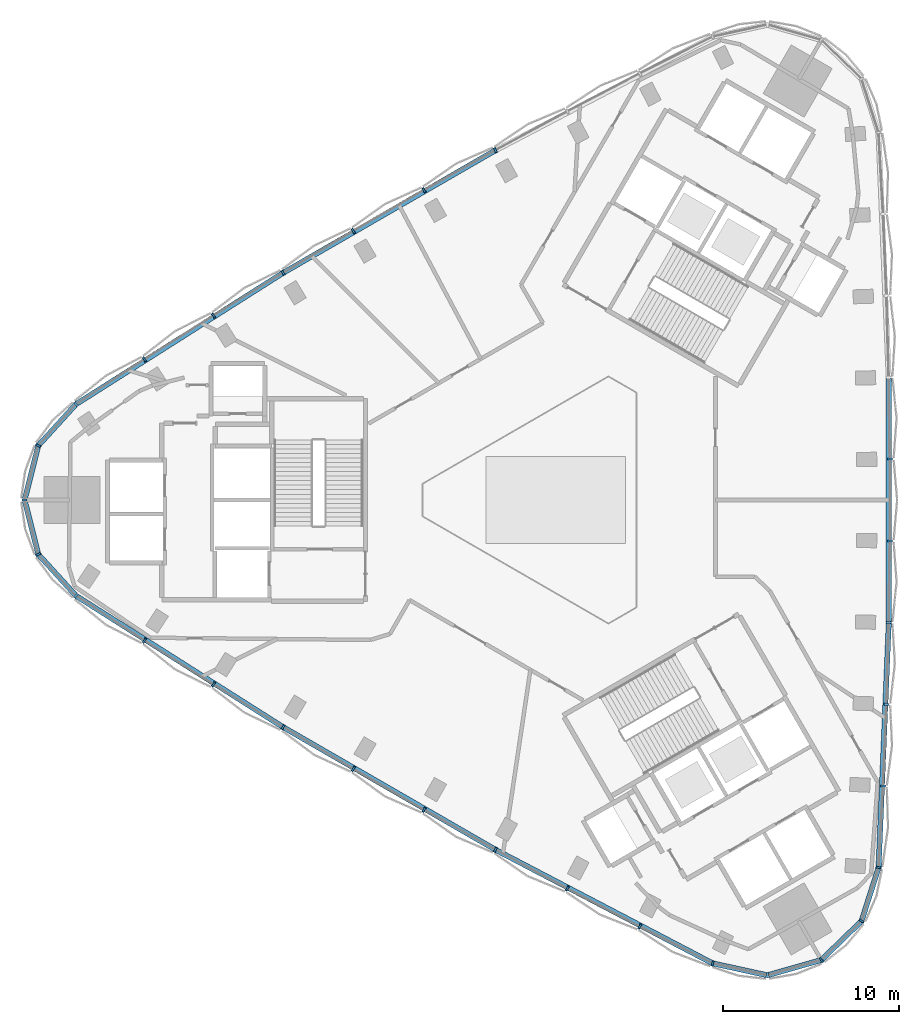
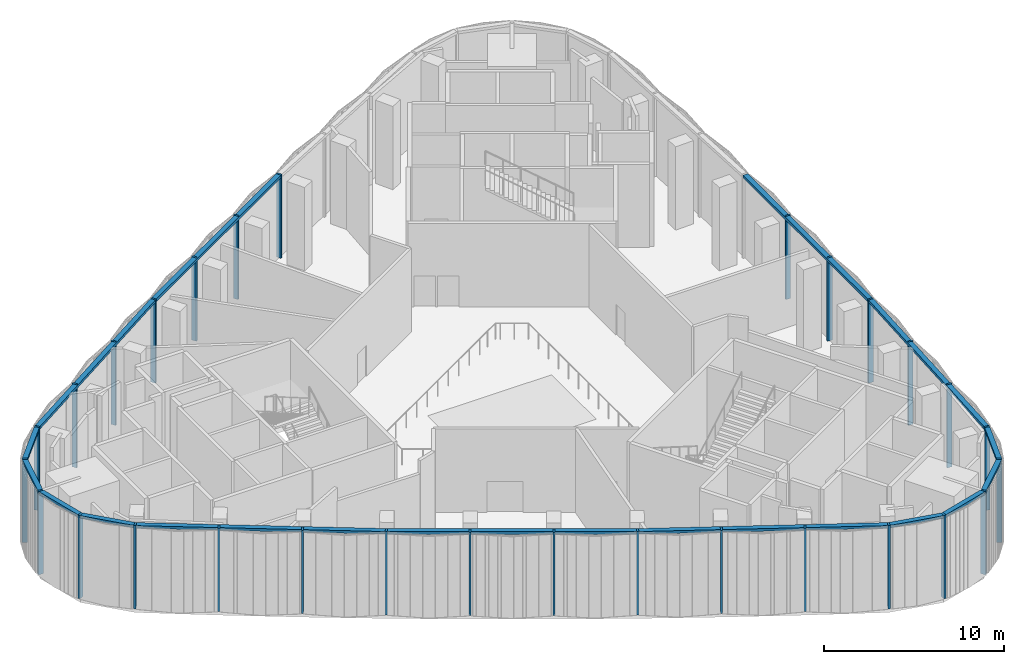
# One storey, part 2 of 14: 44 members, 3 elements without a shape of their own.
"""IFC4 building model written with IfcOpenShell, lengths in metres."""

from ifc_helpers import new_model, si_unit, direction, frame, origin, origin_2d, place, context, subcontext, project, spatial, rectangle, extrude, material, material_profile, profile_set, type_object, element, aggregate, save


model = new_model("IFC4")

# Units and contexts
model_context = context("Model", 3, precision=1e-05, world=origin(), true_north=direction((0.0, 1.0)))
body_context = subcontext(model_context, "Body", "Model", "MODEL_VIEW")
ifc_project = project(units=[si_unit("LENGTHUNIT", "METRE"), si_unit("AREAUNIT", "SQUARE_METRE"), si_unit("VOLUMEUNIT", "CUBIC_METRE"), si_unit("PLANEANGLEUNIT", "RADIAN"), si_unit("MASSUNIT", "GRAM", prefix="KILO")], contexts=[model_context])

# Site, building, storey
site_placement = place(None, origin())
site = spatial("IfcSite", under=ifc_project, at=site_placement, CompositionType="ELEMENT")
building_placement = place(site_placement, origin())
building = spatial("IfcBuilding", under=site, at=building_placement, Name="Tamra Quay Hotel Tower", CompositionType="ELEMENT")
storey_placement = place(building_placement, frame((0.0, 0.0, 169.60009765625)))
storey = spatial("IfcBuildingStorey", under=building, at=storey_placement, Name="L42", CompositionType="ELEMENT", Elevation=169.60009765625)

# Curtain wall, members
ifc_material = material(Name="Aluminium 6063 anodised dark grey", Category="aluminium")
curtain_wall_type = type_object("IfcCurtainWallType", Name="CW5 CURTAIN WALL", PredefinedType="NOTDEFINED", material=ifc_material)
curtain_wall_1_placement = place(storey_placement, origin())
curtain_wall_1 = element("IfcCurtainWall", 1, at=curtain_wall_1_placement, inside=storey, type_object=curtain_wall_type, Name="CW5 east face L42", PredefinedType="NOTDEFINED")
ifc_material_profile_1 = material_profile(ifc_material, rectangle(XDim=0.300048828125, YDim=0.1201171875, at=origin_2d()), Name="MULLION 120X300")
ifc_profile_set_1 = profile_set([ifc_material_profile_1], Name="Aluminium 6063 anodised dark grey")
member_type_1 = type_object("IfcMemberType", Name="MULLION CW5", PredefinedType="MULLION", material=ifc_profile_set_1)
member_1_placement = place(storey_placement, frame((18.391845703125, -20.938232421875, 0.0), z_axis=(0.0, 0.0, 1.0), x_axis=(0.98350940873, -0.180856968182, 0.0)))
member_1 = element("IfcMember", 2, at=member_1_placement, type_object=member_type_1, Name="CW5 mullion L42.E.1", PredefinedType="MULLION", context=body_context, shape_type="SweptSolid", body=[
    extrude(rectangle(XDim=0.300048828125, YDim=0.1201171875, at=origin_2d()), origin(), (0.0, 0.0, 1.0), 5.64990234375),
])
member_2_placement = place(storey_placement, frame((18.64990234375, -16.28955078125, 0.0), z_axis=(0.0, 0.0, 1.0), x_axis=(0.998822706984, -0.048509792963, 0.0)))
member_2 = element("IfcMember", 3, at=member_2_placement, type_object=member_type_1, Name="CW5 mullion L42.E.2", PredefinedType="MULLION", context=body_context, shape_type="SweptSolid", body=[
    extrude(rectangle(XDim=0.300048828125, YDim=0.1201171875, at=origin_2d()), origin(), (0.0, 0.0, 1.0), 5.64990234375),
])
member_3_placement = place(storey_placement, frame((18.843505859375, -11.637451171875, 0.0), z_axis=(0.0, 0.0, 1.0), x_axis=(0.999398546797, -0.034677725691, 0.0)))
member_3 = element("IfcMember", 4, at=member_3_placement, type_object=member_type_1, Name="CW5 mullion L42.E.3", PredefinedType="MULLION", context=body_context, shape_type="SweptSolid", body=[
    extrude(rectangle(XDim=0.300048828125, YDim=0.1201171875, at=origin_2d()), origin(), (0.0, 0.0, 1.0), 5.64990234375),
])
member_4_placement = place(storey_placement, frame((18.972900390625, -6.983642578125, 0.0), z_axis=(0.0, 0.0, 1.0), x_axis=(0.999783234436, -0.020820281972, 0.0)))
member_4 = element("IfcMember", 5, at=member_4_placement, type_object=member_type_1, Name="CW5 mullion L42.E.4", PredefinedType="MULLION", context=body_context, shape_type="SweptSolid", body=[
    extrude(rectangle(XDim=0.300048828125, YDim=0.1201171875, at=origin_2d()), origin(), (0.0, 0.0, 1.0), 5.64990234375),
])
member_5_placement = place(storey_placement, frame((19.03759765625, -2.328125, 0.0), z_axis=(0.0, 0.0, 1.0), x_axis=(0.999975896495, -0.006943085008, 0.0)))
member_5 = element("IfcMember", 6, at=member_5_placement, type_object=member_type_1, Name="CW5 mullion L42.E.5", PredefinedType="MULLION", context=body_context, shape_type="SweptSolid", body=[
    extrude(rectangle(XDim=0.300048828125, YDim=0.1201171875, at=origin_2d()), origin(), (0.0, 0.0, 1.0), 5.64990234375),
])
member_6_placement = place(storey_placement, frame((19.03759765625, 2.328125, 0.0), z_axis=(0.0, 0.0, 1.0), x_axis=(0.999975896495, 0.006943085008, 0.0)))
member_6 = element("IfcMember", 7, at=member_6_placement, type_object=member_type_1, Name="CW5 mullion L42.E.6", PredefinedType="MULLION", context=body_context, shape_type="SweptSolid", body=[
    extrude(rectangle(XDim=0.300048828125, YDim=0.1201171875, at=origin_2d()), origin(), (0.0, 0.0, 1.0), 5.64990234375),
])

curtain_wall_2_placement = place(storey_placement, origin())
curtain_wall_2 = element("IfcCurtainWall", 8, at=curtain_wall_2_placement, inside=storey, type_object=curtain_wall_type, Name="CW5 north-west face L42", PredefinedType="NOTDEFINED")
member_7_placement = place(storey_placement, frame((-3.438232421875, 19.9228515625, 0.0), z_axis=(0.0, 0.0, 1.0), x_axis=(-0.481860724116, 0.876247820285, 0.0)))
member_7 = element("IfcMember", 9, at=member_7_placement, type_object=member_type_1, Name="CW5 mullion L42.NW.4", PredefinedType="MULLION", context=body_context, shape_type="SweptSolid", body=[
    extrude(rectangle(XDim=0.300048828125, YDim=0.1201171875, at=origin_2d()), origin(), (0.0, 0.0, 1.0), 5.64990234375),
])
member_8_placement = place(storey_placement, frame((-7.502685546875, 17.65087890625, 0.0), z_axis=(0.0, 0.0, 1.0), x_axis=(-0.49397506025, 0.869476072041, 0.0)))
member_8 = element("IfcMember", 10, at=member_8_placement, type_object=member_type_1, Name="CW5 mullion L42.NW.5", PredefinedType="MULLION", context=body_context, shape_type="SweptSolid", body=[
    extrude(rectangle(XDim=0.300048828125, YDim=0.1201171875, at=origin_2d()), origin(), (0.0, 0.0, 1.0), 5.64990234375),
])
member_9_placement = place(storey_placement, frame((-11.534912109375, 15.322998046875, 0.0), z_axis=(0.0, 0.0, 1.0), x_axis=(-0.506000836245, 0.862532987033, 0.0)))
member_9 = element("IfcMember", 11, at=member_9_placement, type_object=member_type_1, Name="CW5 mullion L42.NW.6", PredefinedType="MULLION", context=body_context, shape_type="SweptSolid", body=[
    extrude(rectangle(XDim=0.300048828125, YDim=0.1201171875, at=origin_2d()), origin(), (0.0, 0.0, 1.0), 5.64990234375),
])
member_10_placement = place(storey_placement, frame((-15.534423828125, 12.93896484375, 0.0), z_axis=(0.0, 0.0, 1.0), x_axis=(-0.51792251032, 0.855427538313, 0.0)))
member_10 = element("IfcMember", 12, at=member_10_placement, type_object=member_type_1, Name="CW5 mullion L42.NW.7", PredefinedType="MULLION", context=body_context, shape_type="SweptSolid", body=[
    extrude(rectangle(XDim=0.300048828125, YDim=0.1201171875, at=origin_2d()), origin(), (0.0, 0.0, 1.0), 5.64990234375),
])
member_11_placement = place(storey_placement, frame((-19.500244140625, 10.500244140625, 0.0), z_axis=(0.0, 0.0, 1.0), x_axis=(-0.529731064793, 0.848165667186, 0.0)))
member_11 = element("IfcMember", 13, at=member_11_placement, type_object=member_type_1, Name="CW5 mullion L42.NW.8", PredefinedType="MULLION", context=body_context, shape_type="SweptSolid", body=[
    extrude(rectangle(XDim=0.300048828125, YDim=0.1201171875, at=origin_2d()), origin(), (0.0, 0.0, 1.0), 5.64990234375),
])
member_12_placement = place(storey_placement, frame((-23.43212890625, 8.006591796875, 0.0), z_axis=(0.0, 0.0, 1.0), x_axis=(-0.54142206653, 0.840750941643, 0.0)))
member_12 = element("IfcMember", 14, at=member_12_placement, type_object=member_type_1, Name="CW5 mullion L42.NW.9", PredefinedType="MULLION", context=body_context, shape_type="SweptSolid", body=[
    extrude(rectangle(XDim=0.300048828125, YDim=0.1201171875, at=origin_2d()), origin(), (0.0, 0.0, 1.0), 5.64990234375),
])
member_13_placement = place(storey_placement, frame((-27.328857421875, 5.458740234375, 0.0), z_axis=(0.0, 0.0, 1.0), x_axis=(-0.648381433262, 0.76131564873, 0.0)))
member_13 = element("IfcMember", 15, at=member_13_placement, type_object=member_type_1, Name="CW5 mullion L42.NW.10", PredefinedType="MULLION", context=body_context, shape_type="SweptSolid", body=[
    extrude(rectangle(XDim=0.300048828125, YDim=0.1201171875, at=origin_2d()), origin(), (0.0, 0.0, 1.0), 5.64990234375),
])
member_14_placement = place(storey_placement, frame((-29.480224609375, 3.09765625, 0.0), z_axis=(0.0, 0.0, 1.0), x_axis=(-0.881097509676, 0.472934645002, 0.0)))
member_14 = element("IfcMember", 16, at=member_14_placement, type_object=member_type_1, Name="CW5 mullion L42.NW.11", PredefinedType="MULLION", context=body_context, shape_type="SweptSolid", body=[
    extrude(rectangle(XDim=0.300048828125, YDim=0.1201171875, at=origin_2d()), origin(), (0.0, 0.0, 1.0), 5.64990234375),
])
member_15_placement = place(storey_placement, frame((-30.259033203125, 0.0, 0.0), z_axis=(0.0, 0.0, 1.0), x_axis=(-1.0, 0.0, 0.0)))
member_15 = element("IfcMember", 17, at=member_15_placement, type_object=member_type_1, Name="CW5 mullion L42.NW.12", PredefinedType="MULLION", context=body_context, shape_type="SweptSolid", body=[
    extrude(rectangle(XDim=0.300048828125, YDim=0.1201171875, at=origin_2d()), origin(), (0.0, 0.0, 1.0), 5.64990234375),
])
member_16_placement = place(storey_placement, frame((-29.480224609375, -3.09765625, 0.0), z_axis=(0.0, 0.0, 1.0), x_axis=(-0.881097509676, -0.472934645002, 0.0)))
member_16 = element("IfcMember", 18, at=member_16_placement, type_object=member_type_1, Name="CW5 mullion L42.NW.13", PredefinedType="MULLION", context=body_context, shape_type="SweptSolid", body=[
    extrude(rectangle(XDim=0.300048828125, YDim=0.1201171875, at=origin_2d()), origin(), (0.0, 0.0, 1.0), 5.64990234375),
])

curtain_wall_3_placement = place(storey_placement, origin())
curtain_wall_3 = element("IfcCurtainWall", 19, at=curtain_wall_3_placement, inside=storey, type_object=curtain_wall_type, Name="CW5 south-west face L42", PredefinedType="NOTDEFINED")
member_17_placement = place(storey_placement, frame((-27.328857421875, -5.458740234375, 0.0), z_axis=(0.0, 0.0, 1.0), x_axis=(-0.648381433262, -0.76131564873, 0.0)))
member_17 = element("IfcMember", 20, at=member_17_placement, type_object=member_type_1, Name="CW5 mullion L42.SW.1", PredefinedType="MULLION", context=body_context, shape_type="SweptSolid", body=[
    extrude(rectangle(XDim=0.300048828125, YDim=0.1201171875, at=origin_2d()), origin(), (0.0, 0.0, 1.0), 5.64990234375),
])
member_18_placement = place(storey_placement, frame((-23.43212890625, -8.006591796875, 0.0), z_axis=(0.0, 0.0, 1.0), x_axis=(-0.54142206653, -0.840750941643, 0.0)))
member_18 = element("IfcMember", 21, at=member_18_placement, type_object=member_type_1, Name="CW5 mullion L42.SW.2", PredefinedType="MULLION", context=body_context, shape_type="SweptSolid", body=[
    extrude(rectangle(XDim=0.300048828125, YDim=0.1201171875, at=origin_2d()), origin(), (0.0, 0.0, 1.0), 5.64990234375),
])
member_19_placement = place(storey_placement, frame((-19.500244140625, -10.500244140625, 0.0), z_axis=(0.0, 0.0, 1.0), x_axis=(-0.529731064793, -0.848165667186, 0.0)))
member_19 = element("IfcMember", 22, at=member_19_placement, type_object=member_type_1, Name="CW5 mullion L42.SW.3", PredefinedType="MULLION", context=body_context, shape_type="SweptSolid", body=[
    extrude(rectangle(XDim=0.300048828125, YDim=0.1201171875, at=origin_2d()), origin(), (0.0, 0.0, 1.0), 5.64990234375),
])
member_20_placement = place(storey_placement, frame((-15.534423828125, -12.93896484375, 0.0), z_axis=(0.0, 0.0, 1.0), x_axis=(-0.51792251032, -0.855427538313, 0.0)))
member_20 = element("IfcMember", 23, at=member_20_placement, type_object=member_type_1, Name="CW5 mullion L42.SW.4", PredefinedType="MULLION", context=body_context, shape_type="SweptSolid", body=[
    extrude(rectangle(XDim=0.300048828125, YDim=0.1201171875, at=origin_2d()), origin(), (0.0, 0.0, 1.0), 5.64990234375),
])
member_21_placement = place(storey_placement, frame((-11.534912109375, -15.322998046875, 0.0), z_axis=(0.0, 0.0, 1.0), x_axis=(-0.506000836245, -0.862532987033, 0.0)))
member_21 = element("IfcMember", 24, at=member_21_placement, type_object=member_type_1, Name="CW5 mullion L42.SW.5", PredefinedType="MULLION", context=body_context, shape_type="SweptSolid", body=[
    extrude(rectangle(XDim=0.300048828125, YDim=0.1201171875, at=origin_2d()), origin(), (0.0, 0.0, 1.0), 5.64990234375),
])
member_22_placement = place(storey_placement, frame((-7.502685546875, -17.65087890625, 0.0), z_axis=(0.0, 0.0, 1.0), x_axis=(-0.49397506025, -0.869476072041, 0.0)))
member_22 = element("IfcMember", 25, at=member_22_placement, type_object=member_type_1, Name="CW5 mullion L42.SW.6", PredefinedType="MULLION", context=body_context, shape_type="SweptSolid", body=[
    extrude(rectangle(XDim=0.300048828125, YDim=0.1201171875, at=origin_2d()), origin(), (0.0, 0.0, 1.0), 5.64990234375),
])
member_23_placement = place(storey_placement, frame((-3.438232421875, -19.9228515625, 0.0), z_axis=(0.0, 0.0, 1.0), x_axis=(-0.481860724116, -0.876247820285, 0.0)))
member_23 = element("IfcMember", 26, at=member_23_placement, type_object=member_type_1, Name="CW5 mullion L42.SW.7", PredefinedType="MULLION", context=body_context, shape_type="SweptSolid", body=[
    extrude(rectangle(XDim=0.300048828125, YDim=0.1201171875, at=origin_2d()), origin(), (0.0, 0.0, 1.0), 5.64990234375),
])
member_24_placement = place(storey_placement, frame((0.656494140625, -22.1376953125, 0.0), z_axis=(0.0, 0.0, 1.0), x_axis=(-0.469667482005, -0.882843392878, 0.0)))
member_24 = element("IfcMember", 27, at=member_24_placement, type_object=member_type_1, Name="CW5 mullion L42.SW.8", PredefinedType="MULLION", context=body_context, shape_type="SweptSolid", body=[
    extrude(rectangle(XDim=0.300048828125, YDim=0.1201171875, at=origin_2d()), origin(), (0.0, 0.0, 1.0), 5.64990234375),
])
member_25_placement = place(storey_placement, frame((4.7822265625, -24.296142578125, 0.0), z_axis=(0.0, 0.0, 1.0), x_axis=(-0.457400640453, -0.889260734606, 0.0)))
member_25 = element("IfcMember", 28, at=member_25_placement, type_object=member_type_1, Name="CW5 mullion L42.SW.9", PredefinedType="MULLION", context=body_context, shape_type="SweptSolid", body=[
    extrude(rectangle(XDim=0.300048828125, YDim=0.1201171875, at=origin_2d()), origin(), (0.0, 0.0, 1.0), 5.64990234375),
])
member_26_placement = place(storey_placement, frame((8.93701171875, -26.39697265625, 0.0), z_axis=(0.0, 0.0, 1.0), x_axis=(-0.335127975468, -0.942172616912, 0.0)))
member_26 = element("IfcMember", 29, at=member_26_placement, type_object=member_type_1, Name="CW5 mullion L42.SW.10", PredefinedType="MULLION", context=body_context, shape_type="SweptSolid", body=[
    extrude(rectangle(XDim=0.300048828125, YDim=0.1201171875, at=origin_2d()), origin(), (0.0, 0.0, 1.0), 5.64990234375),
])
member_27_placement = place(storey_placement, frame((12.057373046875, -27.079345703125, 0.0), z_axis=(0.0, 0.0, 1.0), x_axis=(0.030975337936, -0.999520149091, 0.0)))
member_27 = element("IfcMember", 30, at=member_27_placement, type_object=member_type_1, Name="CW5 mullion L42.SW.11", PredefinedType="MULLION", context=body_context, shape_type="SweptSolid", body=[
    extrude(rectangle(XDim=0.300048828125, YDim=0.1201171875, at=origin_2d()), origin(), (0.0, 0.0, 1.0), 5.64990234375),
])
member_28_placement = place(storey_placement, frame((15.12939453125, -26.205078125, 0.0), z_axis=(0.0, 0.0, 1.0), x_axis=(0.5, -0.866025403784, 0.0)))
member_28 = element("IfcMember", 31, at=member_28_placement, type_object=member_type_1, Name="CW5 mullion L42.SW.12", PredefinedType="MULLION", context=body_context, shape_type="SweptSolid", body=[
    extrude(rectangle(XDim=0.300048828125, YDim=0.1201171875, at=origin_2d()), origin(), (0.0, 0.0, 1.0), 5.64990234375),
])
member_29_placement = place(storey_placement, frame((17.4228515625, -23.981689453125, 0.0), z_axis=(0.0, 0.0, 1.0), x_axis=(0.85012217174, -0.526585504089, 0.0)))
member_29 = element("IfcMember", 32, at=member_29_placement, type_object=member_type_1, Name="CW5 mullion L42.SW.13", PredefinedType="MULLION", context=body_context, shape_type="SweptSolid", body=[
    extrude(rectangle(XDim=0.300048828125, YDim=0.1201171875, at=origin_2d()), origin(), (0.0, 0.0, 1.0), 5.64990234375),
])

# Member
ifc_material_profile_2 = material_profile(ifc_material, rectangle(XDim=0.300048828125, YDim=0.179931640625, at=origin_2d()), Name="TRANSOM 300X180")
ifc_profile_set_2 = profile_set([ifc_material_profile_2], Name="Aluminium 6063 anodised dark grey")
member_type_2 = type_object("IfcMemberType", Name="TRANSOM CW5", PredefinedType="USERDEFINED", material=ifc_profile_set_2)
member_30_placement = place(storey_placement, frame((18.395263671875, -20.878173828125, 5.559814453125), z_axis=(0.041593875025, 0.999134600322, 0.0), x_axis=(-0.999134600322, 0.041593875025, 0.0)))
member_30 = element("IfcMember", 33, at=member_30_placement, type_object=member_type_2, Name="CW5 transom L42.E.1", ObjectType="TRANSOM", PredefinedType="USERDEFINED", context=body_context, shape_type="SweptSolid", body=[
    extrude(rectangle(XDim=0.300048828125, YDim=0.179931640625, at=origin_2d()), origin(), (0.0, 0.0, 1.0), 13.846435546875),
])

member_31_placement = place(storey_placement, frame((18.9736328125, -6.923828125, 5.559814453125), z_axis=(0.0, 1.0, 0.0), x_axis=(-1.0, 0.0, 0.0)))
member_31 = element("IfcMember", 34, at=member_31_placement, type_object=member_type_2, Name="CW5 transom L42.E.4", ObjectType="TRANSOM", PredefinedType="USERDEFINED", context=body_context, shape_type="SweptSolid", body=[
    extrude(rectangle(XDim=0.300048828125, YDim=0.179931640625, at=origin_2d()), origin(), (0.0, 0.0, 1.0), 13.84765625),
])

aggregate(curtain_wall_1, [member_1, member_30, member_2, member_3, member_4, member_31, member_5, member_6])

member_32_placement = place(storey_placement, frame((-3.49072265625, 19.8935546875, 5.559814453125), z_axis=(-0.866021168401, -0.500007335828, 0.0), x_axis=(0.500007335828, -0.866021168401, 0.0)))
member_32 = element("IfcMember", 35, at=member_32_placement, type_object=member_type_2, Name="CW5 transom L42.NW.4", ObjectType="TRANSOM", PredefinedType="USERDEFINED", context=body_context, shape_type="SweptSolid", body=[
    extrude(rectangle(XDim=0.300048828125, YDim=0.179931640625, at=origin_2d()), origin(), (0.0, 0.0, 1.0), 13.847412109375),
])

member_33_placement = place(storey_placement, frame((-15.585693359375, 12.90771484375, 5.559814453125), z_axis=(-0.844480180691, -0.535586803814, 0.0), x_axis=(0.535586803814, -0.844480180691, 0.0)))
member_33 = element("IfcMember", 36, at=member_33_placement, type_object=member_type_2, Name="CW5 transom L42.NW.7", ObjectType="TRANSOM", PredefinedType="USERDEFINED", context=body_context, shape_type="SweptSolid", body=[
    extrude(rectangle(XDim=0.300048828125, YDim=0.179931640625, at=origin_2d()), origin(), (0.0, 0.0, 1.0), 13.846435546875),
])

member_34_placement = place(storey_placement, frame((-27.369384765625, 5.41455078125, 5.559814453125), z_axis=(-0.673462994538, -0.739220937872, 0.0), x_axis=(0.739220937872, -0.673462994538, 0.0)))
member_34 = element("IfcMember", 37, at=member_34_placement, type_object=member_type_2, Name="CW5 transom L42.NW.10", ObjectType="TRANSOM", PredefinedType="USERDEFINED", context=body_context, shape_type="SweptSolid", body=[
    extrude(rectangle(XDim=0.300048828125, YDim=0.179931640625, at=origin_2d()), origin(), (0.0, 0.0, 1.0), 3.07421875),
])

member_35_placement = place(storey_placement, frame((-29.494873046875, 3.03955078125, 5.559814453125), z_axis=(-0.243806067521, -0.969824005395, 0.0), x_axis=(0.969824005395, -0.243806067521, 0.0)))
member_35 = element("IfcMember", 38, at=member_35_placement, type_object=member_type_2, Name="CW5 transom L42.NW.11", ObjectType="TRANSOM", PredefinedType="USERDEFINED", context=body_context, shape_type="SweptSolid", body=[
    extrude(rectangle(XDim=0.300048828125, YDim=0.179931640625, at=origin_2d()), origin(), (0.0, 0.0, 1.0), 3.07421875),
])

member_36_placement = place(storey_placement, frame((-30.244384765625, -0.05810546875, 5.559814453125), z_axis=(0.243806067521, -0.969824005395, 0.0), x_axis=(0.969824005395, 0.243806067521, 0.0)))
member_36 = element("IfcMember", 39, at=member_36_placement, type_object=member_type_2, Name="CW5 transom L42.NW.12", ObjectType="TRANSOM", PredefinedType="USERDEFINED", context=body_context, shape_type="SweptSolid", body=[
    extrude(rectangle(XDim=0.300048828125, YDim=0.179931640625, at=origin_2d()), origin(), (0.0, 0.0, 1.0), 3.07421875),
])

member_37_placement = place(storey_placement, frame((-29.439697265625, -3.14208984375, 5.559814453125), z_axis=(0.673462994538, -0.739220937872, 0.0), x_axis=(0.739220937872, 0.673462994538, 0.0)))
member_37 = element("IfcMember", 40, at=member_37_placement, type_object=member_type_2, Name="CW5 transom L42.NW.13", ObjectType="TRANSOM", PredefinedType="USERDEFINED", context=body_context, shape_type="SweptSolid", body=[
    extrude(rectangle(XDim=0.300048828125, YDim=0.179931640625, at=origin_2d()), origin(), (0.0, 0.0, 1.0), 3.07421875),
])

aggregate(curtain_wall_2, [member_7, member_32, member_8, member_9, member_10, member_33, member_11, member_12, member_13, member_34, member_14, member_35, member_15, member_36, member_16, member_37])

member_38_placement = place(storey_placement, frame((-27.27880859375, -5.49169921875, 5.559814453125), z_axis=(0.844480180691, -0.535586803814, 0.0), x_axis=(0.535586803814, 0.844480180691, 0.0)))
member_38 = element("IfcMember", 41, at=member_38_placement, type_object=member_type_2, Name="CW5 transom L42.SW.1", ObjectType="TRANSOM", PredefinedType="USERDEFINED", context=body_context, shape_type="SweptSolid", body=[
    extrude(rectangle(XDim=0.300048828125, YDim=0.179931640625, at=origin_2d()), origin(), (0.0, 0.0, 1.0), 13.846435546875),
])

member_39_placement = place(storey_placement, frame((-15.48291015625, -12.9697265625, 5.559814453125), z_axis=(0.866021168401, -0.500007335828, 0.0), x_axis=(0.500007335828, 0.866021168401, 0.0)))
member_39 = element("IfcMember", 42, at=member_39_placement, type_object=member_type_2, Name="CW5 transom L42.SW.4", ObjectType="TRANSOM", PredefinedType="USERDEFINED", context=body_context, shape_type="SweptSolid", body=[
    extrude(rectangle(XDim=0.300048828125, YDim=0.179931640625, at=origin_2d()), origin(), (0.0, 0.0, 1.0), 13.847412109375),
])

member_40_placement = place(storey_placement, frame((-3.385498046875, -19.951416015625, 5.559814453125), z_axis=(0.886074370375, -0.46354310497, 0.0), x_axis=(0.46354310497, 0.886074370375, 0.0)))
member_40 = element("IfcMember", 43, at=member_40_placement, type_object=member_type_2, Name="CW5 transom L42.SW.7", ObjectType="TRANSOM", PredefinedType="USERDEFINED", context=body_context, shape_type="SweptSolid", body=[
    extrude(rectangle(XDim=0.300048828125, YDim=0.179931640625, at=origin_2d()), origin(), (0.0, 0.0, 1.0), 13.846435546875),
])

member_41_placement = place(storey_placement, frame((8.99560546875, -26.40966796875, 5.559814453125), z_axis=(0.976897426865, -0.213708720892, 0.0), x_axis=(0.213708720892, 0.976897426865, 0.0)))
member_41 = element("IfcMember", 44, at=member_41_placement, type_object=member_type_2, Name="CW5 transom L42.SW.10", ObjectType="TRANSOM", PredefinedType="USERDEFINED", context=body_context, shape_type="SweptSolid", body=[
    extrude(rectangle(XDim=0.300048828125, YDim=0.179931640625, at=origin_2d()), origin(), (0.0, 0.0, 1.0), 3.07421875),
])

member_42_placement = place(storey_placement, frame((12.114990234375, -27.06298828125, 5.559814453125), z_axis=(0.961802156592, 0.27374552339, 0.0), x_axis=(-0.27374552339, 0.961802156592, 0.0)))
member_42 = element("IfcMember", 45, at=member_42_placement, type_object=member_type_2, Name="CW5 transom L42.SW.11", ObjectType="TRANSOM", PredefinedType="USERDEFINED", context=body_context, shape_type="SweptSolid", body=[
    extrude(rectangle(XDim=0.300048828125, YDim=0.179931640625, at=origin_2d()), origin(), (0.0, 0.0, 1.0), 3.07421875),
])

member_43_placement = place(storey_placement, frame((15.172607421875, -26.163330078125, 5.559814453125), z_axis=(0.717942488034, 0.696102423409, 0.0), x_axis=(-0.696102423409, 0.717942488034, 0.0)))
member_43 = element("IfcMember", 46, at=member_43_placement, type_object=member_type_2, Name="CW5 transom L42.SW.12", ObjectType="TRANSOM", PredefinedType="USERDEFINED", context=body_context, shape_type="SweptSolid", body=[
    extrude(rectangle(XDim=0.300048828125, YDim=0.179931640625, at=origin_2d()), origin(), (0.0, 0.0, 1.0), 3.07421875),
])

member_44_placement = place(storey_placement, frame((17.44091796875, -23.924560546875, 5.559814453125), z_axis=(0.303452775259, 0.952846479339, 0.0), x_axis=(-0.952846479339, 0.303452775259, 0.0)))
member_44 = element("IfcMember", 47, at=member_44_placement, type_object=member_type_2, Name="CW5 transom L42.SW.13", ObjectType="TRANSOM", PredefinedType="USERDEFINED", context=body_context, shape_type="SweptSolid", body=[
    extrude(rectangle(XDim=0.300048828125, YDim=0.179931640625, at=origin_2d()), origin(), (0.0, 0.0, 1.0), 3.07421875),
])

aggregate(curtain_wall_3, [member_17, member_38, member_18, member_19, member_20, member_39, member_21, member_22, member_23, member_40, member_24, member_25, member_26, member_41, member_27, member_42, member_28, member_43, member_29, member_44])

save(model, "model.ifc")
